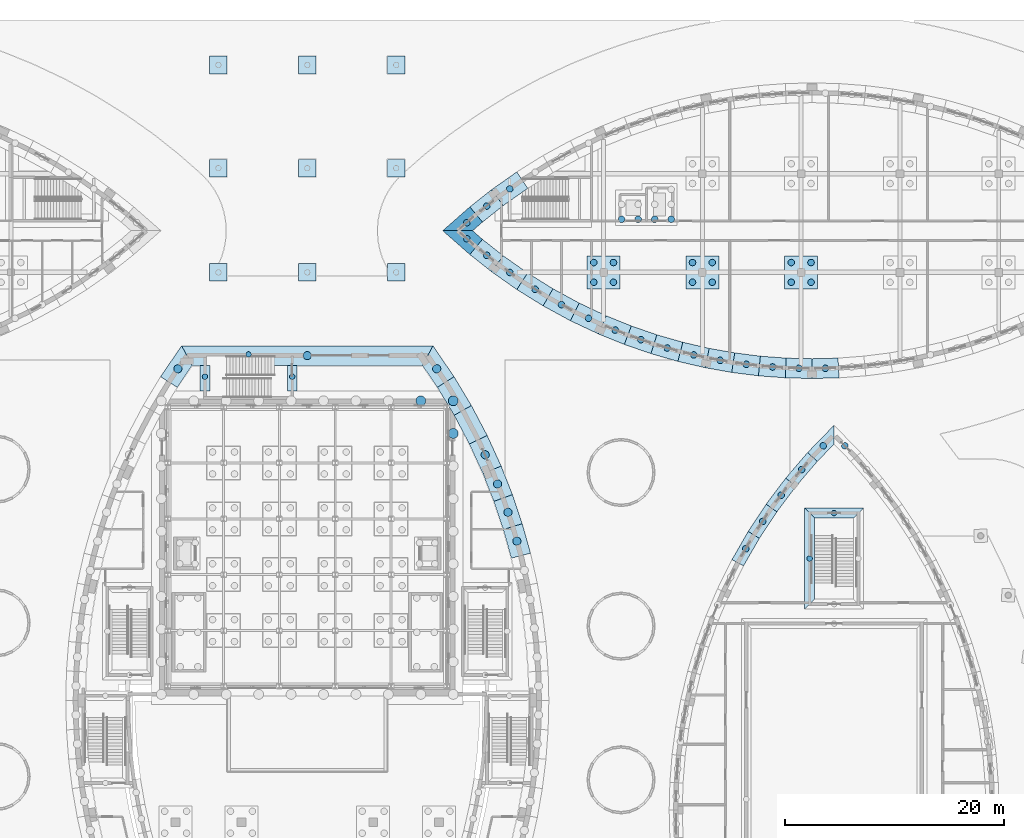
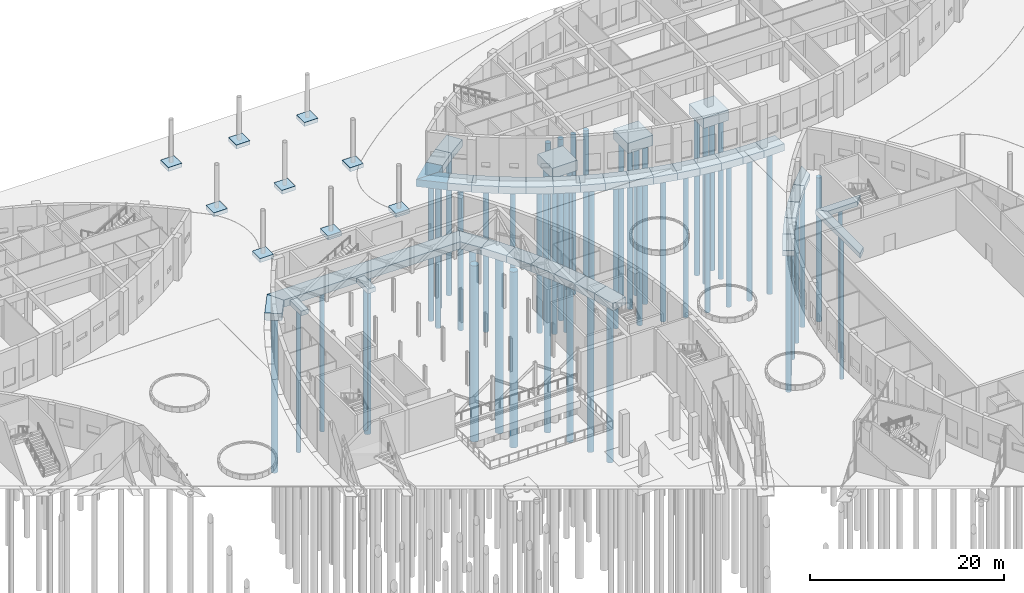
# One storey, part 8 of 82: 55 piles, 48 footings.
"""IFC4 building model written with IfcOpenShell, lengths in metres."""

from ifc_helpers import new_model, si_unit, direction, frame, origin, origin_2d, place, context, subcontext, project, spatial, polyline, rectangle, circle, outline, extrude, material, material_profile, profile_set, type_object, element, save


model = new_model("IFC4")

# Units and contexts
model_context = context("Model", 3, precision=1e-05, world=origin(), true_north=direction((0.0, 1.0)))
body_context = subcontext(model_context, "Body", "Model", "MODEL_VIEW")
ifc_project = project(units=[si_unit("LENGTHUNIT", "METRE"), si_unit("AREAUNIT", "SQUARE_METRE"), si_unit("VOLUMEUNIT", "CUBIC_METRE"), si_unit("PLANEANGLEUNIT", "RADIAN"), si_unit("MASSUNIT", "GRAM", prefix="KILO")], contexts=[model_context])

# Site, building, storey
site_placement = place(None, origin())
site = spatial("IfcSite", under=ifc_project, at=site_placement, CompositionType="ELEMENT")
building_placement = place(site_placement, origin())
building = spatial("IfcBuilding", under=site, at=building_placement, Name="Tide Square Theatres", CompositionType="ELEMENT")
storey_placement = place(building_placement, origin())
storey = spatial("IfcBuildingStorey", under=building, at=storey_placement, Name="L00", CompositionType="ELEMENT", Elevation=0.0)

# Piles
ifc_material_1 = material(Name="Concrete C30", Category="concrete")
ifc_material_profile_1 = material_profile(ifc_material_1, circle(Radius=0.25, at=origin_2d()))
ifc_profile_set_1 = profile_set([ifc_material_profile_1], Name="Concrete C30")
pile_type_1 = type_object("IfcPileType", Name="Bored pile D500", PredefinedType="BORED", material=ifc_profile_set_1)
for number, where, z_axis, x_axis, name in (
    (1, (82.625, 84.5, -0.699951171875), (0.0, 0.0, -1.0), (1.0, 0.0, 0.0), "Bored pile 011"),
    (2, (74.675048828125, 84.5, -0.699951171875), (0.0, 0.0, -1.0), (1.0, 0.0, 0.0), "Bored pile 012"),
):
    element("IfcPile", number, at=place(storey_placement, frame(where, z_axis=z_axis, x_axis=x_axis)), inside=storey, type_object=pile_type_1, Name=name, PredefinedType="BORED", context=body_context, shape_type="SweptSolid", body=[
        extrude(circle(Radius=0.25, at=origin_2d()), origin(), (0.0, 0.0, 1.0), 18.14990234375),
    ])
pile_placement = place(storey_placement, frame((78.64990234375, 86.52490234375, -0.75), z_axis=(0.0, 0.0, -1.0), x_axis=(1.0, 0.0, 0.0)))
element("IfcPile", 3, at=pile_placement, inside=storey, type_object=pile_type_1, Name="Bored pile 013", PredefinedType="BORED", context=body_context, shape_type="SweptSolid", body=[
    extrude(circle(Radius=0.25, at=origin_2d()), origin(), (0.0, 0.0, 1.0), 18.10009765625),
])
for number, where, z_axis, x_axis, name in (
    (4, (132.0, 72.074951171875, -0.699951171875), (0.0, 0.0, -1.0), (1.0, 0.0, 0.0), "Bored pile 062"),
    (5, (129.77490234375, 67.925048828125, -0.699951171875), (0.0, 0.0, -1.0), (1.0, 0.0, 0.0), "Bored pile 063"),
):
    element("IfcPile", number, at=place(storey_placement, frame(where, z_axis=z_axis, x_axis=x_axis)), inside=storey, type_object=pile_type_1, Name=name, PredefinedType="BORED", context=body_context, shape_type="SweptSolid", body=[
        extrude(circle(Radius=0.25, at=origin_2d()), origin(), (0.0, 0.0, 1.0), 18.14990234375),
    ])
ifc_material_2 = material(Name="Concrete C30", Category="concrete")
ifc_material_profile_2 = material_profile(ifc_material_2, circle(Radius=0.300048828125, at=origin_2d()))
ifc_profile_set_2 = profile_set([ifc_material_profile_2], Name="Concrete C30")
pile_type_2 = type_object("IfcPileType", Name="Bored pile D600", PredefinedType="BORED", material=ifc_profile_set_2)
for number, where, z_axis, x_axis, name in (
    (6, (132.986083984375, 78.196533203125, -0.800048828125), (0.0, 0.0, -1.0), (1.0, 0.0, 0.0), "Bored pile 028"),
    (7, (131.013916015625, 78.196533203125, -0.800048828125), (0.0, 0.0, -1.0), (1.0, 0.0, 0.0), "Bored pile 029"),
    (8, (129.04345703125, 76.027587890625, -0.800048828125), (0.0, 0.0, -1.0), (1.0, 0.0, 0.0), "Bored pile 030"),
    (9, (127.178466796875, 73.703125, -0.800048828125), (0.0, 0.0, -1.0), (1.0, 0.0, 0.0), "Bored pile 031"),
    (10, (125.49072265625, 71.307861328125, -0.800048828125), (0.0, 0.0, -1.0), (1.0, 0.0, 0.0), "Bored pile 032"),
    (11, (123.953125, 68.813720703125, -0.800048828125), (0.0, 0.0, -1.0), (1.0, 0.0, 0.0), "Bored pile 033"),
    (12, (98.545166015625, 97.06005859375, -1.0), (0.0, 0.0, -1.0), (1.0, 0.0, 0.0), "Rehearsal Block wall pile 1"),
    (13, (100.353515625, 95.555908203125, -1.0), (0.0, 0.0, -1.0), (1.0, 0.0, 0.0), "Rehearsal Block wall pile 2"),
    (14, (102.452392578125, 93.992431640625, -1.0), (0.0, 0.0, -1.0), (1.0, 0.0, 0.0), "Rehearsal Block wall pile 3"),
    (15, (104.761474609375, 92.461181640625, -1.0), (0.0, 0.0, -1.0), (1.0, 0.0, 0.0), "Rehearsal Block wall pile 4"),
    (16, (107.155517578125, 91.06640625, -1.0), (0.0, 0.0, -1.0), (1.0, 0.0, 0.0), "Rehearsal Block wall pile 5"),
    (17, (109.62646484375, 89.812744140625, -1.0), (0.0, 0.0, -1.0), (1.0, 0.0, 0.0), "Rehearsal Block wall pile 6"),
    (18, (112.043701171875, 88.75, -1.0), (0.0, 0.0, -1.0), (1.0, 0.0, 0.0), "Rehearsal Block wall pile 7"),
    (19, (114.393798828125, 87.8681640625, -1.0), (0.0, 0.0, -1.0), (1.0, 0.0, 0.0), "Rehearsal Block wall pile 8"),
    (20, (116.787109375, 87.11083984375, -1.0), (0.0, 0.0, -1.0), (1.0, 0.0, 0.0), "Rehearsal Block wall pile 9"),
    (21, (119.216796875, 86.48046875, -1.0), (0.0, 0.0, -1.0), (1.0, 0.0, 0.0), "Rehearsal Block wall pile 10"),
    (22, (121.62451171875, 85.986083984375, -1.0), (0.0, 0.0, -1.0), (1.0, 0.0, 0.0), "Rehearsal Block wall pile 11"),
    (23, (124.002197265625, 85.624267578125, -1.0), (0.0, 0.0, -1.0), (1.0, 0.0, 0.0), "Rehearsal Block wall pile 12"),
    (24, (126.395263671875, 85.382568359375, -1.0), (0.0, 0.0, -1.0), (1.0, 0.0, 0.0), "Rehearsal Block wall pile 13"),
    (25, (128.79736328125, 85.261474609375, -1.0), (0.0, 0.0, -1.0), (1.0, 0.0, 0.0), "Rehearsal Block wall pile 14"),
    (26, (131.20263671875, 85.261474609375, -1.0), (0.0, 0.0, -1.0), (1.0, 0.0, 0.0), "Rehearsal Block wall pile 15"),
    (27, (102.452392578125, 101.607666015625, -1.0), (0.0, 0.0, -1.0), (1.0, 0.0, 0.0), "Rehearsal Block wall pile 54"),
    (28, (100.353515625, 100.044189453125, -1.0), (0.0, 0.0, -1.0), (1.0, 0.0, 0.0), "Rehearsal Block wall pile 55"),
    (29, (98.545166015625, 98.539794921875, -1.0), (0.0, 0.0, -1.0), (1.0, 0.0, 0.0), "Rehearsal Block wall pile 56"),
):
    element("IfcPile", number, at=place(storey_placement, frame(where, z_axis=z_axis, x_axis=x_axis)), inside=storey, type_object=pile_type_2, Name=name, PredefinedType="BORED", context=body_context, shape_type="SweptSolid", body=[
        extrude(circle(Radius=0.300048828125, at=origin_2d()), origin(), (0.0, 0.0, 1.0), 18.14990234375),
    ])
for number, where, z_axis, x_axis, name in (
    (30, (110.10009765625, 93.10009765625, -1.39990234375), (0.0, 0.0, -1.0), (1.0, 0.0, 0.0), "Rehearsal Block column pile 1.1"),
    (31, (111.89990234375, 93.10009765625, -1.39990234375), (0.0, 0.0, -1.0), (1.0, 0.0, 0.0), "Rehearsal Block column pile 1.2"),
    (32, (111.89990234375, 94.89990234375, -1.39990234375), (0.0, 0.0, -1.0), (1.0, 0.0, 0.0), "Rehearsal Block column pile 1.3"),
    (33, (110.10009765625, 94.89990234375, -1.39990234375), (0.0, 0.0, -1.0), (1.0, 0.0, 0.0), "Rehearsal Block column pile 1.4"),
    (34, (119.10009765625, 93.10009765625, -1.39990234375), (0.0, 0.0, -1.0), (1.0, 0.0, 0.0), "Rehearsal Block column pile 2.1"),
    (35, (120.89990234375, 93.10009765625, -1.39990234375), (0.0, 0.0, -1.0), (1.0, 0.0, 0.0), "Rehearsal Block column pile 2.2"),
    (36, (120.89990234375, 94.89990234375, -1.39990234375), (0.0, 0.0, -1.0), (1.0, 0.0, 0.0), "Rehearsal Block column pile 2.3"),
    (37, (119.10009765625, 94.89990234375, -1.39990234375), (0.0, 0.0, -1.0), (1.0, 0.0, 0.0), "Rehearsal Block column pile 2.4"),
    (38, (128.10009765625, 93.10009765625, -1.39990234375), (0.0, 0.0, -1.0), (1.0, 0.0, 0.0), "Rehearsal Block column pile 4.1"),
    (39, (129.89990234375, 93.10009765625, -1.39990234375), (0.0, 0.0, -1.0), (1.0, 0.0, 0.0), "Rehearsal Block column pile 4.2"),
    (40, (129.89990234375, 94.89990234375, -1.39990234375), (0.0, 0.0, -1.0), (1.0, 0.0, 0.0), "Rehearsal Block column pile 4.3"),
    (41, (128.10009765625, 94.89990234375, -1.39990234375), (0.0, 0.0, -1.0), (1.0, 0.0, 0.0), "Rehearsal Block column pile 4.4"),
    (42, (112.639892578125, 98.840087890625, -1.85009765625), (0.0, 0.0, -1.0), (1.0, 0.0, 0.0), "Rehearsal Block lift pit pile 1.1"),
    (43, (114.146728515625, 98.840087890625, -1.85009765625), (0.0, 0.0, -1.0), (1.0, 0.0, 0.0), "Rehearsal Block lift pit pile 1.3"),
    (44, (115.6533203125, 98.840087890625, -1.85009765625), (0.0, 0.0, -1.0), (1.0, 0.0, 0.0), "Rehearsal Block lift pit pile 1.5"),
    (45, (117.159912109375, 98.840087890625, -1.85009765625), (0.0, 0.0, -1.0), (1.0, 0.0, 0.0), "Rehearsal Block lift pit pile 1.8"),
):
    element("IfcPile", number, at=place(storey_placement, frame(where, z_axis=z_axis, x_axis=x_axis)), inside=storey, type_object=pile_type_2, Name=name, PredefinedType="BORED", context=body_context, shape_type="SweptSolid", body=[
        extrude(circle(Radius=0.300048828125, at=origin_2d()), origin(), (0.0, 0.0, 1.0), 20.14990234375),
    ])
ifc_material_3 = material(Name="Concrete C30", Category="concrete")
ifc_material_profile_3 = material_profile(ifc_material_3, circle(Radius=0.375, at=origin_2d()))
ifc_profile_set_3 = profile_set([ifc_material_profile_3], Name="Concrete C30")
pile_type_3 = type_object("IfcPileType", Name="Bored pile D750", PredefinedType="BORED", material=ifc_profile_set_3)
for number, where, z_axis, x_axis, name in (
    (46, (103.09619140625, 69.51318359375, -0.75), (0.0, 0.0, -1.0), (1.0, 0.0, 0.0), "Bored pile"),
    (47, (102.285888671875, 72.142578125, -0.75), (0.0, 0.0, -1.0), (1.0, 0.0, 0.0), "Bored pile"),
    (48, (101.342041015625, 74.726806640625, -0.75), (0.0, 0.0, -1.0), (1.0, 0.0, 0.0), "Bored pile"),
    (49, (100.208251953125, 77.380126953125, -0.75), (0.0, 0.0, -1.0), (1.0, 0.0, 0.0), "Bored pile"),
    (50, (95.792724609375, 85.215576171875, -0.75), (0.0, 0.0, -1.0), (1.0, 0.0, 0.0), "Bored pile"),
    (51, (84.0, 86.41748046875, -0.75), (0.0, 0.0, -1.0), (1.0, 0.0, 0.0), "Bored pile"),
    (52, (72.207275390625, 85.215576171875, -0.75), (0.0, 0.0, -1.0), (1.0, 0.0, 0.0), "Bored pile"),
):
    element("IfcPile", number, at=place(storey_placement, frame(where, z_axis=z_axis, x_axis=x_axis)), inside=storey, type_object=pile_type_3, Name=name, PredefinedType="BORED", context=body_context, shape_type="SweptSolid", body=[
        extrude(circle(Radius=0.375, at=origin_2d()), origin(), (0.0, 0.0, 1.0), 20.14990234375),
    ])
ifc_material_4 = material(Name="Concrete C30", Category="concrete")
ifc_material_profile_4 = material_profile(ifc_material_4, circle(Radius=0.449951171875, at=origin_2d()))
ifc_profile_set_4 = profile_set([ifc_material_profile_4], Name="Concrete C30")
pile_type_4 = type_object("IfcPileType", Name="Bored pile D900", PredefinedType="BORED", material=ifc_profile_set_4)
for number, where, z_axis, x_axis, name in (
    (53, (94.344482421875, 82.300048828125, -0.75), (0.0, 0.0, -1.0), (1.0, 0.0, 0.0), "Bored pile"),
    (54, (97.300048828125, 82.300048828125, -0.75), (0.0, 0.0, -1.0), (1.0, 0.0, 0.0), "Bored pile"),
    (55, (97.300048828125, 79.327880859375, -0.75), (0.0, 0.0, -1.0), (1.0, 0.0, 0.0), "Bored pile"),
):
    element("IfcPile", number, at=place(storey_placement, frame(where, z_axis=z_axis, x_axis=x_axis)), inside=storey, type_object=pile_type_4, Name=name, PredefinedType="BORED", context=body_context, shape_type="SweptSolid", body=[
        extrude(circle(Radius=0.449951171875, at=origin_2d()), origin(), (0.0, 0.0, 1.0), 22.14990234375),
    ])

# Footings
ifc_material_5 = material(Name="Concrete C30", Category="concrete")
footing_type_1 = type_object("IfcFootingType", Name="Pad footing 1600 x 1600", PredefinedType="PAD_FOOTING", material=ifc_material_5)
for number, where, z_axis, x_axis, name in (
    (56, (75.89990234375, 94.0, -0.5), (0.0, 0.0, 1.0), (1.0, 0.0, 0.0), "Canopy column footing"),
    (57, (84.0, 94.0, -0.5), (0.0, 0.0, 1.0), (1.0, 0.0, 0.0), "Canopy column footing"),
    (58, (92.10009765625, 94.0, -0.5), (0.0, 0.0, 1.0), (1.0, 0.0, 0.0), "Canopy column footing"),
    (59, (75.89990234375, 103.5, -0.5), (0.0, 0.0, 1.0), (1.0, 0.0, 0.0), "Canopy column footing"),
    (60, (84.0, 103.5, -0.5), (0.0, 0.0, 1.0), (1.0, 0.0, 0.0), "Canopy column footing"),
    (61, (92.10009765625, 103.5, -0.5), (0.0, 0.0, 1.0), (1.0, 0.0, 0.0), "Canopy column footing"),
    (62, (75.89990234375, 112.89990234375, -0.5), (0.0, 0.0, 1.0), (1.0, 0.0, 0.0), "Canopy column footing"),
    (63, (84.0, 112.89990234375, -0.5), (0.0, 0.0, 1.0), (1.0, 0.0, 0.0), "Canopy column footing"),
    (64, (92.10009765625, 112.89990234375, -0.5), (0.0, 0.0, 1.0), (1.0, 0.0, 0.0), "Canopy column footing"),
):
    element("IfcFooting", number, at=place(storey_placement, frame(where, z_axis=z_axis, x_axis=x_axis)), inside=storey, type_object=footing_type_1, Name=name, PredefinedType="PAD_FOOTING", context=body_context, shape_type="SweptSolid", body=[
        extrude(rectangle(XDim=1.60009765625, YDim=1.60009765625, at=origin_2d()), origin(), (0.0, 0.0, 1.0), 0.5),
    ])
ifc_material_6 = material(Name="Concrete C35", Category="concrete")
footing_type_2 = type_object("IfcFootingType", Name="Pile cap 4 piles D600", PredefinedType="PILE_CAP", material=ifc_material_6)
footing_1_placement = place(storey_placement, frame((0.0, 0.0, -1.550048828125)))
element("IfcFooting", 65, at=footing_1_placement, inside=storey, type_object=footing_type_2, Name="Rehearsal Block pile cap 1", PredefinedType="PILE_CAP", context=body_context, shape_type="SweptSolid", body=[
    extrude(outline(polyline([(109.5, 92.5), (112.5, 92.5), (112.5, 95.5), (109.5, 95.5), (109.5, 92.5)])), origin(), (0.0, 0.0, 1.0), 1.300048828125),
])
footing_2_placement = place(storey_placement, frame((0.0, 0.0, -1.550048828125)))
element("IfcFooting", 66, at=footing_2_placement, inside=storey, type_object=footing_type_2, Name="Rehearsal Block pile cap 2", PredefinedType="PILE_CAP", context=body_context, shape_type="SweptSolid", body=[
    extrude(outline(polyline([(118.5, 92.5), (121.5, 92.5), (121.5, 95.5), (118.5, 95.5), (118.5, 92.5)])), origin(), (0.0, 0.0, 1.0), 1.300048828125),
])
footing_3_placement = place(storey_placement, frame((0.0, 0.0, -1.550048828125)))
element("IfcFooting", 67, at=footing_3_placement, inside=storey, type_object=footing_type_2, Name="Rehearsal Block pile cap 4", PredefinedType="PILE_CAP", context=body_context, shape_type="SweptSolid", body=[
    extrude(outline(polyline([(127.5, 92.5), (130.5, 92.5), (130.5, 95.5), (127.5, 95.5), (127.5, 92.5)])), origin(), (0.0, 0.0, 1.0), 1.300048828125),
])
ifc_material_7 = material(Name="Concrete C35", Category="concrete")
footing_type_3 = type_object("IfcFootingType", Name="Strip footing 1200 x 700", PredefinedType="STRIP_FOOTING", material=ifc_material_7)
footing_4_placement = place(storey_placement, frame((0.0, 0.0, -0.949951171875)))
element("IfcFooting", 68, at=footing_4_placement, inside=storey, type_object=footing_type_3, Name="Black Box Theatre wall strip footing 029", PredefinedType="STRIP_FOOTING", context=body_context, shape_type="SweptSolid", body=[
    extrude(outline(polyline([(132.0, 80.074462890625), (129.583984375, 77.58447265625), (130.471923828125, 76.776123046875), (132.0, 78.35107421875), (132.0, 80.074462890625)])), origin(), (0.0, 0.0, 1.0), 0.699951171875),
])
footing_5_placement = place(storey_placement, frame((0.0, 0.0, -0.949951171875)))
element("IfcFooting", 69, at=footing_5_placement, inside=storey, type_object=footing_type_3, Name="Black Box Theatre wall strip footing 030", PredefinedType="STRIP_FOOTING", context=body_context, shape_type="SweptSolid", body=[
    extrude(outline(polyline([(129.583984375, 77.58447265625), (127.590576171875, 75.250244140625), (128.52734375, 74.49951171875), (130.471923828125, 76.776123046875), (129.583984375, 77.58447265625)])), origin(), (0.0, 0.0, 1.0), 0.699951171875),
])
footing_6_placement = place(storey_placement, frame((0.0, 0.0, -0.949951171875)))
element("IfcFooting", 70, at=footing_6_placement, inside=storey, type_object=footing_type_3, Name="Black Box Theatre wall strip footing 031", PredefinedType="STRIP_FOOTING", context=body_context, shape_type="SweptSolid", body=[
    extrude(outline(polyline([(127.590576171875, 75.250244140625), (125.80712890625, 72.877197265625), (126.78857421875, 72.185791015625), (128.52734375, 74.49951171875), (127.590576171875, 75.250244140625)])), origin(), (0.0, 0.0, 1.0), 0.699951171875),
])
footing_7_placement = place(storey_placement, frame((0.0, 0.0, -0.949951171875)))
element("IfcFooting", 71, at=footing_7_placement, inside=storey, type_object=footing_type_3, Name="Black Box Theatre wall strip footing 032", PredefinedType="STRIP_FOOTING", context=body_context, shape_type="SweptSolid", body=[
    extrude(outline(polyline([(125.80712890625, 72.877197265625), (124.172607421875, 70.3994140625), (125.194580078125, 69.769287109375), (126.78857421875, 72.185791015625), (125.80712890625, 72.877197265625)])), origin(), (0.0, 0.0, 1.0), 0.699951171875),
])
footing_8_placement = place(storey_placement, frame((0.0, 0.0, -0.949951171875)))
element("IfcFooting", 72, at=footing_8_placement, inside=storey, type_object=footing_type_3, Name="Black Box Theatre wall strip footing 033", PredefinedType="STRIP_FOOTING", context=body_context, shape_type="SweptSolid", body=[
    extrude(outline(polyline([(124.172607421875, 70.3994140625), (122.693115234375, 67.825927734375), (123.751953125, 67.259765625), (125.194580078125, 69.769287109375), (124.172607421875, 70.3994140625)])), origin(), (0.0, 0.0, 1.0), 0.699951171875),
])
ifc_material_8 = material(Name="Concrete C35", Category="concrete")
footing_type_4 = type_object("IfcFootingType", Name="Strip footing 1800 x 900", PredefinedType="STRIP_FOOTING", material=ifc_material_8)
footing_9_placement = place(storey_placement, frame((0.0, 0.0, -0.89990234375)))
element("IfcFooting", 73, at=footing_9_placement, inside=storey, type_object=footing_type_4, Name="Strip footing", PredefinedType="STRIP_FOOTING", context=body_context, shape_type="SweptSolid", body=[
    extrude(outline(polyline([(104.340576171875, 68.408935546875), (103.5849609375, 71.103515625), (101.8642578125, 70.572998046875), (102.594970703125, 67.96728515625), (104.340576171875, 68.408935546875)])), origin(), (0.0, 0.0, 1.0), 0.89990234375),
])
footing_10_placement = place(storey_placement, frame((0.0, 0.0, -0.89990234375)))
element("IfcFooting", 74, at=footing_10_placement, inside=storey, type_object=footing_type_4, Name="Strip footing", PredefinedType="STRIP_FOOTING", context=body_context, shape_type="SweptSolid", body=[
    extrude(outline(polyline([(103.5849609375, 71.103515625), (102.692626953125, 73.755615234375), (101.001220703125, 73.137939453125), (101.8642578125, 70.572998046875), (103.5849609375, 71.103515625)])), origin(), (0.0, 0.0, 1.0), 0.89990234375),
])
footing_11_placement = place(storey_placement, frame((0.0, 0.0, -0.89990234375)))
element("IfcFooting", 75, at=footing_11_placement, inside=storey, type_object=footing_type_4, Name="Strip footing", PredefinedType="STRIP_FOOTING", context=body_context, shape_type="SweptSolid", body=[
    extrude(outline(polyline([(102.692626953125, 73.755615234375), (101.66552734375, 76.359619140625), (100.0087890625, 75.654052734375), (101.001220703125, 73.137939453125), (102.692626953125, 73.755615234375)])), origin(), (0.0, 0.0, 1.0), 0.89990234375),
])
footing_12_placement = place(storey_placement, frame((0.0, 0.0, -0.89990234375)))
element("IfcFooting", 76, at=footing_12_placement, inside=storey, type_object=footing_type_4, Name="Strip footing", PredefinedType="STRIP_FOOTING", context=body_context, shape_type="SweptSolid", body=[
    extrude(outline(polyline([(101.66552734375, 76.359619140625), (100.386962890625, 79.1513671875), (98.771484375, 78.35595703125), (100.0087890625, 75.654052734375), (101.66552734375, 76.359619140625)])), origin(), (0.0, 0.0, 1.0), 0.89990234375),
])
footing_13_placement = place(storey_placement, frame((0.0, 0.0, -0.89990234375)))
element("IfcFooting", 77, at=footing_13_placement, inside=storey, type_object=footing_type_4, Name="Strip footing", PredefinedType="STRIP_FOOTING", context=body_context, shape_type="SweptSolid", body=[
    extrude(outline(polyline([(100.386962890625, 79.1513671875), (98.953369140625, 81.867919921875), (97.385009765625, 80.98291015625), (98.771484375, 78.35595703125), (100.386962890625, 79.1513671875)])), origin(), (0.0, 0.0, 1.0), 0.89990234375),
])
footing_14_placement = place(storey_placement, frame((0.0, 0.0, -0.89990234375)))
element("IfcFooting", 78, at=footing_14_placement, inside=storey, type_object=footing_type_4, Name="Strip footing", PredefinedType="STRIP_FOOTING", context=body_context, shape_type="SweptSolid", body=[
    extrude(outline(polyline([(98.953369140625, 81.867919921875), (97.369384765625, 84.49951171875), (95.853271484375, 83.528076171875), (97.385009765625, 80.98291015625), (98.953369140625, 81.867919921875)])), origin(), (0.0, 0.0, 1.0), 0.89990234375),
])
footing_15_placement = place(storey_placement, frame((0.0, 0.0, -0.89990234375)))
element("IfcFooting", 79, at=footing_15_placement, inside=storey, type_object=footing_type_4, Name="Strip footing", PredefinedType="STRIP_FOOTING", context=body_context, shape_type="SweptSolid", body=[
    extrude(outline(polyline([(97.369384765625, 84.49951171875), (95.449951171875, 87.3173828125), (94.498046875, 85.517333984375), (95.853271484375, 83.528076171875), (97.369384765625, 84.49951171875)])), origin(), (0.0, 0.0, 1.0), 0.89990234375),
])
footing_16_placement = place(storey_placement, frame((0.0, 0.0, -0.89990234375)))
element("IfcFooting", 80, at=footing_16_placement, inside=storey, type_object=footing_type_4, Name="Strip footing", PredefinedType="STRIP_FOOTING", context=body_context, shape_type="SweptSolid", body=[
    extrude(outline(polyline([(95.449951171875, 87.3173828125), (72.550048828125, 87.3173828125), (73.501953125, 85.517333984375), (94.498046875, 85.517333984375), (95.449951171875, 87.3173828125)])), origin(), (0.0, 0.0, 1.0), 0.89990234375),
])
footing_17_placement = place(storey_placement, frame((0.0, 0.0, -0.89990234375)))
element("IfcFooting", 81, at=footing_17_placement, inside=storey, type_object=footing_type_4, Name="Strip footing", PredefinedType="STRIP_FOOTING", context=body_context, shape_type="SweptSolid", body=[
    extrude(outline(polyline([(72.550048828125, 87.3173828125), (70.630615234375, 84.49951171875), (72.146728515625, 83.528076171875), (73.501953125, 85.517333984375), (72.550048828125, 87.3173828125)])), origin(), (0.0, 0.0, 1.0), 0.89990234375),
])
footing_18_placement = place(storey_placement, frame((0.0, 0.0, -1.14990234375)))
element("IfcFooting", 82, at=footing_18_placement, inside=storey, type_object=footing_type_4, Name="Rehearsal Block strip footing 1", PredefinedType="STRIP_FOOTING", context=body_context, shape_type="SweptSolid", body=[
    extrude(outline(polyline([(96.33935546875, 97.800048828125), (98.810791015625, 95.62890625), (99.9638671875, 97.01171875), (99.066650390625, 97.800048828125), (96.33935546875, 97.800048828125)])), origin(), (0.0, 0.0, 1.0), 0.89990234375),
])
footing_19_placement = place(storey_placement, frame((0.0, 0.0, -1.14990234375)))
element("IfcFooting", 83, at=footing_19_placement, inside=storey, type_object=footing_type_4, Name="Rehearsal Block strip footing 2", PredefinedType="STRIP_FOOTING", context=body_context, shape_type="SweptSolid", body=[
    extrude(outline(polyline([(98.810791015625, 95.62890625), (100.78076171875, 94.0703125), (101.85888671875, 95.5126953125), (99.9638671875, 97.01171875), (98.810791015625, 95.62890625)])), origin(), (0.0, 0.0, 1.0), 0.89990234375),
])
footing_20_placement = place(storey_placement, frame((0.0, 0.0, -1.14990234375)))
element("IfcFooting", 84, at=footing_20_placement, inside=storey, type_object=footing_type_4, Name="Rehearsal Block strip footing 3", PredefinedType="STRIP_FOOTING", context=body_context, shape_type="SweptSolid", body=[
    extrude(outline(polyline([(100.78076171875, 94.0703125), (103.087158203125, 92.44287109375), (104.082275390625, 93.943603515625), (101.85888671875, 95.5126953125), (100.78076171875, 94.0703125)])), origin(), (0.0, 0.0, 1.0), 0.89990234375),
])
footing_21_placement = place(storey_placement, frame((0.0, 0.0, -1.14990234375)))
element("IfcFooting", 85, at=footing_21_placement, inside=storey, type_object=footing_type_4, Name="Rehearsal Block strip footing 4", PredefinedType="STRIP_FOOTING", context=body_context, shape_type="SweptSolid", body=[
    extrude(outline(polyline([(103.087158203125, 92.44287109375), (105.485107421875, 90.951171875), (106.3916015625, 92.507080078125), (104.082275390625, 93.943603515625), (103.087158203125, 92.44287109375)])), origin(), (0.0, 0.0, 1.0), 0.89990234375),
])
footing_22_placement = place(storey_placement, frame((0.0, 0.0, -1.14990234375)))
element("IfcFooting", 86, at=footing_22_placement, inside=storey, type_object=footing_type_4, Name="Rehearsal Block strip footing 5", PredefinedType="STRIP_FOOTING", context=body_context, shape_type="SweptSolid", body=[
    extrude(outline(polyline([(105.485107421875, 90.951171875), (107.965576171875, 89.600830078125), (108.7802734375, 91.206787109375), (106.3916015625, 92.507080078125), (105.485107421875, 90.951171875)])), origin(), (0.0, 0.0, 1.0), 0.89990234375),
])
footing_23_placement = place(storey_placement, frame((0.0, 0.0, -1.14990234375)))
element("IfcFooting", 87, at=footing_23_placement, inside=storey, type_object=footing_type_4, Name="Rehearsal Block strip footing 6", PredefinedType="STRIP_FOOTING", context=body_context, shape_type="SweptSolid", body=[
    extrude(outline(polyline([(107.965576171875, 89.600830078125), (110.51904296875, 88.39697265625), (111.241455078125, 90.04638671875), (108.7802734375, 91.206787109375), (107.965576171875, 89.600830078125)])), origin(), (0.0, 0.0, 1.0), 0.89990234375),
])
footing_24_placement = place(storey_placement, frame((0.0, 0.0, -1.14990234375)))
element("IfcFooting", 88, at=footing_24_placement, inside=storey, type_object=footing_type_4, Name="Rehearsal Block strip footing 7", PredefinedType="STRIP_FOOTING", context=body_context, shape_type="SweptSolid", body=[
    extrude(outline(polyline([(110.51904296875, 88.39697265625), (112.890869140625, 87.435302734375), (113.5234375, 89.12109375), (111.241455078125, 90.04638671875), (110.51904296875, 88.39697265625)])), origin(), (0.0, 0.0, 1.0), 0.89990234375),
])
footing_25_placement = place(storey_placement, frame((0.0, 0.0, -1.14990234375)))
element("IfcFooting", 89, at=footing_25_placement, inside=storey, type_object=footing_type_4, Name="Rehearsal Block strip footing 8", PredefinedType="STRIP_FOOTING", context=body_context, shape_type="SweptSolid", body=[
    extrude(outline(polyline([(112.890869140625, 87.435302734375), (115.308837890625, 86.599609375), (115.85205078125, 88.31640625), (113.5234375, 89.12109375), (112.890869140625, 87.435302734375)])), origin(), (0.0, 0.0, 1.0), 0.89990234375),
])
footing_26_placement = place(storey_placement, frame((0.0, 0.0, -1.14990234375)))
element("IfcFooting", 90, at=footing_26_placement, inside=storey, type_object=footing_type_4, Name="Rehearsal Block strip footing 9", PredefinedType="STRIP_FOOTING", context=body_context, shape_type="SweptSolid", body=[
    extrude(outline(polyline([(115.308837890625, 86.599609375), (117.767578125, 85.892333984375), (118.2197265625, 87.63525390625), (115.85205078125, 88.31640625), (115.308837890625, 86.599609375)])), origin(), (0.0, 0.0, 1.0), 0.89990234375),
])
footing_27_placement = place(storey_placement, frame((0.0, 0.0, -1.14990234375)))
element("IfcFooting", 91, at=footing_27_placement, inside=storey, type_object=footing_type_4, Name="Rehearsal Block strip footing 10", PredefinedType="STRIP_FOOTING", context=body_context, shape_type="SweptSolid", body=[
    extrude(outline(polyline([(117.767578125, 85.892333984375), (120.259521484375, 85.31494140625), (120.62060546875, 87.0791015625), (118.2197265625, 87.63525390625), (117.767578125, 85.892333984375)])), origin(), (0.0, 0.0, 1.0), 0.89990234375),
])
footing_28_placement = place(storey_placement, frame((0.0, 0.0, -1.14990234375)))
element("IfcFooting", 92, at=footing_28_placement, inside=storey, type_object=footing_type_4, Name="Rehearsal Block strip footing 11", PredefinedType="STRIP_FOOTING", context=body_context, shape_type="SweptSolid", body=[
    extrude(outline(polyline([(120.259521484375, 85.31494140625), (122.67333984375, 84.88525390625), (122.944091796875, 86.665283203125), (120.62060546875, 87.0791015625), (120.259521484375, 85.31494140625)])), origin(), (0.0, 0.0, 1.0), 0.89990234375),
])
footing_29_placement = place(storey_placement, frame((0.0, 0.0, -1.14990234375)))
element("IfcFooting", 93, at=footing_29_placement, inside=storey, type_object=footing_type_4, Name="Rehearsal Block strip footing 12", PredefinedType="STRIP_FOOTING", context=body_context, shape_type="SweptSolid", body=[
    extrude(outline(polyline([(122.67333984375, 84.88525390625), (125.105224609375, 84.57763671875), (125.2861328125, 86.369140625), (122.944091796875, 86.665283203125), (122.67333984375, 84.88525390625)])), origin(), (0.0, 0.0, 1.0), 0.89990234375),
])
footing_30_placement = place(storey_placement, frame((0.0, 0.0, -1.14990234375)))
element("IfcFooting", 94, at=footing_30_placement, inside=storey, type_object=footing_type_4, Name="Rehearsal Block strip footing 13", PredefinedType="STRIP_FOOTING", context=body_context, shape_type="SweptSolid", body=[
    extrude(outline(polyline([(125.105224609375, 84.57763671875), (127.549560546875, 84.392822265625), (127.64013671875, 86.19091796875), (125.2861328125, 86.369140625), (125.105224609375, 84.57763671875)])), origin(), (0.0, 0.0, 1.0), 0.89990234375),
])
footing_31_placement = place(storey_placement, frame((0.0, 0.0, -1.14990234375)))
element("IfcFooting", 95, at=footing_31_placement, inside=storey, type_object=footing_type_4, Name="Rehearsal Block strip footing 14", PredefinedType="STRIP_FOOTING", context=body_context, shape_type="SweptSolid", body=[
    extrude(outline(polyline([(127.549560546875, 84.392822265625), (130.0, 84.3310546875), (130.0, 86.131591796875), (127.64013671875, 86.19091796875), (127.549560546875, 84.392822265625)])), origin(), (0.0, 0.0, 1.0), 0.89990234375),
])
footing_32_placement = place(storey_placement, frame((0.0, 0.0, -1.14990234375)))
element("IfcFooting", 96, at=footing_32_placement, inside=storey, type_object=footing_type_4, Name="Rehearsal Block strip footing 15", PredefinedType="STRIP_FOOTING", context=body_context, shape_type="SweptSolid", body=[
    extrude(outline(polyline([(130.0, 84.3310546875), (132.450439453125, 84.392822265625), (132.35986328125, 86.19091796875), (130.0, 86.131591796875), (130.0, 84.3310546875)])), origin(), (0.0, 0.0, 1.0), 0.89990234375),
])
footing_33_placement = place(storey_placement, frame((0.0, 0.0, -1.14990234375)))
element("IfcFooting", 97, at=footing_33_placement, inside=storey, type_object=footing_type_4, Name="Rehearsal Block strip footing 54", PredefinedType="STRIP_FOOTING", context=body_context, shape_type="SweptSolid", body=[
    extrude(outline(polyline([(103.087158203125, 103.1572265625), (100.78076171875, 101.529541015625), (101.85888671875, 100.08740234375), (104.082275390625, 101.656494140625), (103.087158203125, 103.1572265625)])), origin(), (0.0, 0.0, 1.0), 0.89990234375),
])
footing_34_placement = place(storey_placement, frame((0.0, 0.0, -1.14990234375)))
element("IfcFooting", 98, at=footing_34_placement, inside=storey, type_object=footing_type_4, Name="Rehearsal Block strip footing 55", PredefinedType="STRIP_FOOTING", context=body_context, shape_type="SweptSolid", body=[
    extrude(outline(polyline([(100.78076171875, 101.529541015625), (98.810791015625, 99.97119140625), (99.9638671875, 98.58837890625), (101.85888671875, 100.08740234375), (100.78076171875, 101.529541015625)])), origin(), (0.0, 0.0, 1.0), 0.89990234375),
])
footing_35_placement = place(storey_placement, frame((0.0, 0.0, -1.14990234375)))
element("IfcFooting", 99, at=footing_35_placement, inside=storey, type_object=footing_type_4, Name="Rehearsal Block strip footing 56", PredefinedType="STRIP_FOOTING", context=body_context, shape_type="SweptSolid", body=[
    extrude(outline(polyline([(98.810791015625, 99.97119140625), (96.33935546875, 97.800048828125), (99.066650390625, 97.800048828125), (99.9638671875, 98.58837890625), (98.810791015625, 99.97119140625)])), origin(), (0.0, 0.0, 1.0), 0.89990234375),
])
ifc_material_9 = material(Name="Concrete C35", Category="concrete")
footing_type_5 = type_object("IfcFootingType", Name="Strip footing 900 x 600", PredefinedType="STRIP_FOOTING", material=ifc_material_9)
footing_36_placement = place(storey_placement, frame((0.0, 0.0, -0.85009765625)))
element("IfcFooting", 100, at=footing_36_placement, inside=storey, type_object=footing_type_5, Name="Main Theatre North Stair wall footing 017", PredefinedType="STRIP_FOOTING", context=body_context, shape_type="SweptSolid", body=[
    extrude(outline(polyline([(74.22509765625, 85.517333984375), (75.125, 85.517333984375), (75.125, 83.199951171875), (74.22509765625, 83.199951171875), (74.22509765625, 85.517333984375)])), origin(), (0.0, 0.0, 1.0), 0.60009765625),
])
footing_37_placement = place(storey_placement, frame((0.0, 0.0, -0.85009765625)))
element("IfcFooting", 101, at=footing_37_placement, inside=storey, type_object=footing_type_5, Name="Main Theatre North Stair wall footing 019", PredefinedType="STRIP_FOOTING", context=body_context, shape_type="SweptSolid", body=[
    extrude(outline(polyline([(83.074951171875, 83.199951171875), (82.175048828125, 83.199951171875), (82.175048828125, 85.517333984375), (83.074951171875, 85.517333984375), (83.074951171875, 83.199951171875)])), origin(), (0.0, 0.0, 1.0), 0.60009765625),
])
footing_38_placement = place(storey_placement, frame((0.0, 0.0, -0.85009765625)))
element("IfcFooting", 102, at=footing_38_placement, inside=storey, type_object=footing_type_5, Name="Black Box Theatre stair shaft strip footing 062", PredefinedType="STRIP_FOOTING", context=body_context, shape_type="SweptSolid", body=[
    extrude(outline(polyline([(134.675048828125, 72.52490234375), (129.324951171875, 72.52490234375), (130.22509765625, 71.625), (133.77490234375, 71.625), (134.675048828125, 72.52490234375)])), origin(), (0.0, 0.0, 1.0), 0.60009765625),
])
footing_39_placement = place(storey_placement, frame((0.0, 0.0, -0.85009765625)))
element("IfcFooting", 103, at=footing_39_placement, inside=storey, type_object=footing_type_5, Name="Black Box Theatre stair shaft strip footing 063", PredefinedType="STRIP_FOOTING", context=body_context, shape_type="SweptSolid", body=[
    extrude(outline(polyline([(129.324951171875, 72.52490234375), (129.324951171875, 63.324951171875), (130.22509765625, 64.22509765625), (130.22509765625, 71.625), (129.324951171875, 72.52490234375)])), origin(), (0.0, 0.0, 1.0), 0.60009765625),
])

save(model, "model.ifc")
